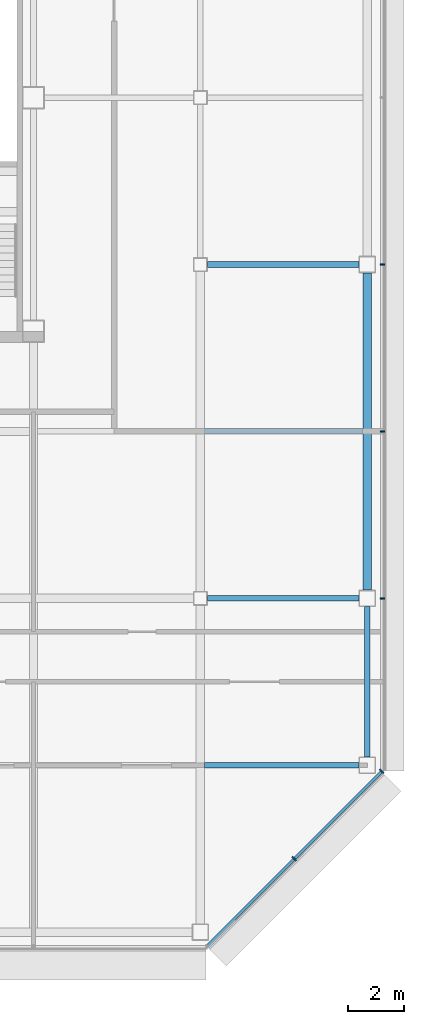
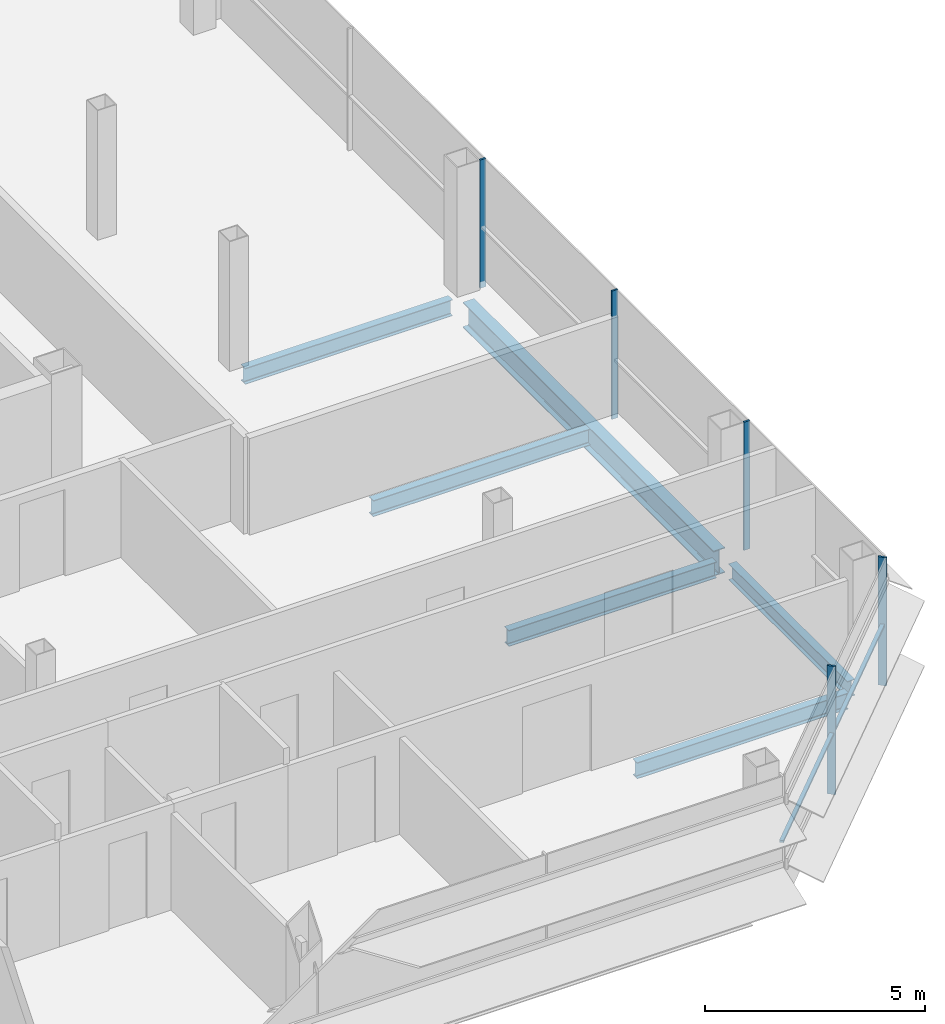
# One storey, part 17 of 28: 6 beams, 6 members, 2 elements without a shape of their own.
"""IFC4 building model written with IfcOpenShell, lengths in metres."""

import ifcopenshell
import ifcopenshell.guid

model = None  # the IFC model being written
_history = None  # IfcOwnerHistory: only IFC2X3 demands one
_inside = {}  # id of a spatial element -> (the spatial element, [elements in it])
_under = {}  # id of a project, library or spatial element -> (it, [spatial elements below it])
_declared = {}  # id of a project -> (the project, [libraries it declares])
_typed = {}  # id of a type object -> (the type object, [elements of that type])
_made_of = {}  # id of a material, layer set ... -> (it, [elements and type objects made of it])


def new_model(schema):
    """Start an empty IFC model of exactly this schema.

    Asked for "IFC4X3", IfcOpenShell would pick the latest addendum, in which some entities
    have other attributes; the version numbers below select the first issue.
    IFC2X3 requires an IfcOwnerHistory on every rooted entity: one is made here for all.
    """
    global model, _history
    if schema == "IFC4X3":
        model = ifcopenshell.file(schema_version=(4, 3, 0, 0))
    else:
        model = ifcopenshell.file(schema=schema)
    _inside.clear()
    _under.clear()
    _declared.clear()
    _typed.clear()
    _made_of.clear()
    _history = None
    if model.schema == "IFC2X3":
        org = make("IfcOrganization", Name="unknown")
        user = make(
            "IfcPersonAndOrganization",
            ThePerson=make("IfcPerson", FamilyName="unknown"),
            TheOrganization=org,
        )
        app = make(
            "IfcApplication",
            ApplicationDeveloper=org,
            Version="unknown",
            ApplicationFullName="unknown",
            ApplicationIdentifier="unknown",
        )
        _history = make(
            "IfcOwnerHistory",
            OwningUser=user,
            OwningApplication=app,
            ChangeAction="ADDED",
            CreationDate=0,
        )
    return model


def make(cls, **values):
    """One entity of the class cls with the attributes given. An attribute that is None is left unset."""
    return model.create_entity(
        cls, **{name: value for name, value in values.items() if value is not None}
    )


def rooted(cls, **values):
    """An entity with a GlobalId (a new one), such as an element, a storey or a relation."""
    return make(cls, GlobalId=ifcopenshell.guid.new(), OwnerHistory=_history, **values)


def si_unit(unit_type, name, prefix=None):
    """IfcSIUnit, for example si_unit("LENGTHUNIT", "METRE", prefix="MILLI")."""
    return make("IfcSIUnit", UnitType=unit_type, Prefix=prefix, Name=name)


def assignment(units):
    """IfcUnitAssignment: the units of a project."""
    return None if units is None else make("IfcUnitAssignment", Units=units)


def point(xyz):
    """IfcCartesianPoint."""
    return None if xyz is None else make("IfcCartesianPoint", Coordinates=xyz)


def direction(xyz):
    """IfcDirection."""
    return None if xyz is None else make("IfcDirection", DirectionRatios=xyz)


def frame(location, z_axis=None, x_axis=None):
    """IfcAxis2Placement3D, a coordinate frame: its origin and axes. An axis left out is left unset."""
    return make(
        "IfcAxis2Placement3D",
        Location=point(location),
        Axis=direction(z_axis),
        RefDirection=direction(x_axis),
    )


def frame_2d(location, x_axis=None):
    """IfcAxis2Placement2D, a coordinate frame in the plane: its origin and x axis."""
    return make(
        "IfcAxis2Placement2D", Location=point(location), RefDirection=direction(x_axis)
    )


def origin():
    """The frame at (0, 0, 0) with its axes left unset."""
    return frame((0.0, 0.0, 0.0))


def origin_2d():
    """The frame at (0, 0) in the plane with its x axis left unset."""
    return frame_2d((0.0, 0.0))


def place(relative_to, where):
    """IfcLocalPlacement: puts the frame where relative to a parent placement (None: the world)."""
    return make(
        "IfcLocalPlacement", PlacementRelTo=relative_to, RelativePlacement=where
    )


def context(
    kind, dimensions, precision=None, world=None, true_north=None, identifier=None
):
    """IfcGeometricRepresentationContext, for example the 3D "Model" context."""
    return make(
        "IfcGeometricRepresentationContext",
        ContextIdentifier=identifier,
        ContextType=kind,
        CoordinateSpaceDimension=dimensions,
        Precision=precision,
        WorldCoordinateSystem=world,
        TrueNorth=true_north,
    )


def subcontext(parent, identifier, kind, view, scale=None):
    """IfcGeometricRepresentationSubContext, for example "Body" below "Model"."""
    return make(
        "IfcGeometricRepresentationSubContext",
        ContextIdentifier=identifier,
        ContextType=kind,
        ParentContext=parent,
        TargetScale=scale,
        TargetView=view,
    )


def project(units=None, contexts=None):
    """IfcProject with its units and contexts."""
    return rooted(
        "IfcProject",
        Name="project",
        RepresentationContexts=contexts,
        UnitsInContext=assignment(units),
    )


def spatial(cls, under=None, at=None, **own):
    """A site, building, storey or space (cls), placed at a placement, below another one or the project."""
    s = rooted(cls, ObjectPlacement=at, **own)
    if under is not None:
        _under.setdefault(under.id(), (under, []))[1].append(s)
    return s


def profile(cls, at=None, kind="AREA", **sizes):
    """A parametric profile (cls). Its sizes go by their IFC names, for example OverallWidth=200.0."""
    return make(cls, ProfileType=kind, Position=at, **sizes)


def rectangle(**sizes):
    """IfcRectangleProfileDef."""
    return profile("IfcRectangleProfileDef", **sizes)


def i_section(**sizes):
    """IfcIShapeProfileDef."""
    return profile("IfcIShapeProfileDef", **sizes)


def extrude(swept, where, along, depth):
    """IfcExtrudedAreaSolid: the profile swept, set in the frame where, extruded along a direction by depth."""
    return make(
        "IfcExtrudedAreaSolid",
        SweptArea=swept,
        Position=where,
        ExtrudedDirection=direction(along),
        Depth=depth,
    )


def shape(context_of_items, identifier, shape_type, items):
    """IfcShapeRepresentation: the items that make up one representation, for example the "Body"."""
    return make(
        "IfcShapeRepresentation",
        ContextOfItems=context_of_items,
        RepresentationIdentifier=identifier,
        RepresentationType=shape_type,
        Items=items,
    )


def material(Name=None, Category=None):
    """IfcMaterial."""
    return make("IfcMaterial", Name=Name, Category=Category)


def material_profile(
    of_material, cross_section, Name=None, Category=None, Priority=None
):
    """IfcMaterialProfile: a cross section and its material."""
    return make(
        "IfcMaterialProfile",
        Name=Name,
        Material=of_material,
        Profile=cross_section,
        Priority=Priority,
        Category=Category,
    )


def profile_set(profiles, Name=None, composite=None):
    """IfcMaterialProfileSet."""
    return make(
        "IfcMaterialProfileSet",
        Name=Name,
        MaterialProfiles=profiles,
        CompositeProfile=composite,
    )


def made_of(thing, what):
    """Note that an element or type object is made of a material, layer set ...; save() writes the relation."""
    if what is not None:
        _made_of.setdefault(what.id(), (what, []))[1].append(thing)
    return thing


def type_object(cls, material=None, **own):
    """A type object (cls), such as IfcWallType, which elements share."""
    return made_of(rooted(cls, **own), material)


def element(
    cls,
    number,
    at=None,
    inside=None,
    cuts=None,
    type_object=None,
    material=None,
    context=None,
    identifier="Body",
    shape_type=None,
    held_by="IfcProductDefinitionShape",
    body=None,
    shapes=None,
    **own,
):
    """One element of the class cls, such as IfcWall. Its Tag is "e" and its number.

    at: its placement. inside: the storey or other place that contains it. cuts: it is an
    opening in that element (IfcRelVoidsElement). A single representation is given by context,
    identifier, shape_type and body (its items); several are given by shapes. held_by: the class
    of the entity that holds the representations. save() writes the other relations.
    """
    e = rooted(cls, Tag="e%d" % number, ObjectPlacement=at, **own)
    if body is not None:
        shapes = [shape(context, identifier, shape_type, body)]
    if shapes is not None:
        e.Representation = make(held_by, Representations=shapes)
    if inside is not None:
        _inside.setdefault(inside.id(), (inside, []))[1].append(e)
    if cuts is not None:
        rooted(
            "IfcRelVoidsElement", RelatingBuildingElement=cuts, RelatedOpeningElement=e
        )
    if type_object is not None:
        _typed.setdefault(type_object.id(), (type_object, []))[1].append(e)
    return made_of(e, material)


def aggregate(whole, parts):
    """IfcRelAggregates: a whole, such as a stair, and the parts it consists of."""
    return rooted("IfcRelAggregates", RelatingObject=whole, RelatedObjects=parts)


def save(model, path):
    """Write the relations noted so far, then the file.

    IfcRelAggregates (storeys below a building ...), IfcRelContainedInSpatialStructure (elements
    in a storey), IfcRelDefinesByType, IfcRelAssociatesMaterial and IfcRelDeclares: one each for
    every whole, place, type object, material and project.
    """
    for whole, parts in _under.values():
        aggregate(whole, parts)
    for where, things in _inside.values():
        rooted(
            "IfcRelContainedInSpatialStructure",
            RelatedElements=things,
            RelatingStructure=where,
        )
    for kind, things in _typed.values():
        rooted("IfcRelDefinesByType", RelatedObjects=things, RelatingType=kind)
    for what, things in _made_of.values():
        rooted("IfcRelAssociatesMaterial", RelatedObjects=things, RelatingMaterial=what)
    for by, libraries in _declared.values():
        rooted("IfcRelDeclares", RelatingContext=by, RelatedDefinitions=libraries)
    model.write(path)


model = new_model("IFC4")

# Units and contexts
model_context = context("Model", 3, precision=1e-05, world=origin(), true_north=direction((0.0, 1.0)))
body_context = subcontext(model_context, "Body", "Model", "MODEL_VIEW")
ifc_project = project(units=[si_unit("LENGTHUNIT", "METRE"), si_unit("AREAUNIT", "SQUARE_METRE"), si_unit("VOLUMEUNIT", "CUBIC_METRE"), si_unit("PLANEANGLEUNIT", "RADIAN"), si_unit("MASSUNIT", "GRAM", prefix="KILO")], contexts=[model_context])

# Site, building, storey
site_placement = place(None, origin())
site = spatial("IfcSite", under=ifc_project, at=site_placement, CompositionType="ELEMENT")
building_placement = place(site_placement, origin())
building = spatial("IfcBuilding", under=site, at=building_placement, Name="Sorahane Residences", CompositionType="ELEMENT")
storey_placement = place(building_placement, frame((0.0, 0.0, 254.0)))
storey = spatial("IfcBuildingStorey", under=building, at=storey_placement, Name="L60", CompositionType="ELEMENT", Elevation=254.0)

# Curtain wall, members
ifc_material_1 = material(Name="Dark low-e glass and black anodised aluminium", Category="aluminium")
curtain_wall_type_1 = type_object("IfcCurtainWallType", Name="Curtain wall CW-1 Typical unitised wall", PredefinedType="NOTDEFINED", material=ifc_material_1)
curtain_wall_1_placement = place(storey_placement, origin())
curtain_wall_1 = element("IfcCurtainWall", 1, at=curtain_wall_1_placement, inside=storey, type_object=curtain_wall_type_1, Name="CW-1 curtain wall L60 E1", PredefinedType="NOTDEFINED")
ifc_material_2 = material(Name="Black anodised aluminium", Category="aluminium")
ifc_material_profile_1 = material_profile(ifc_material_2, rectangle(XDim=0.159912109375, YDim=0.050048828125, at=origin_2d()), Name="Curtain wall mullion CW-1 black anodised aluminium 50x160")
ifc_profile_set_1 = profile_set([ifc_material_profile_1], Name="Black anodised aluminium")
member_type_1 = type_object("IfcMemberType", Name="Curtain wall mullion CW-1 black anodised aluminium 50x160", PredefinedType="MULLION", material=ifc_profile_set_1)
member_1_placement = place(storey_placement, frame((54.5400390625, 12.0, -0.179931640625), z_axis=(0.0, 0.0, 1.0), x_axis=(1.0, 0.0, 0.0)))
member_1 = element("IfcMember", 2, at=member_1_placement, type_object=member_type_1, Name="CW-1 mullion L60 E1.2", PredefinedType="MULLION", context=body_context, shape_type="SweptSolid", body=[
    extrude(rectangle(XDim=0.159912109375, YDim=0.050048828125, at=origin_2d()), origin(), (0.0, 0.0, 1.0), 3.559814453125),
])
member_2_placement = place(storey_placement, frame((54.5400390625, 18.0, -0.179931640625), z_axis=(0.0, 0.0, 1.0), x_axis=(1.0, 0.0, 0.0)))
member_2 = element("IfcMember", 3, at=member_2_placement, type_object=member_type_1, Name="CW-1 mullion L60 E1.3", PredefinedType="MULLION", context=body_context, shape_type="SweptSolid", body=[
    extrude(rectangle(XDim=0.159912109375, YDim=0.050048828125, at=origin_2d()), origin(), (0.0, 0.0, 1.0), 3.559814453125),
])
member_3_placement = place(storey_placement, frame((54.5400390625, 24.0, -0.179931640625), z_axis=(0.0, 0.0, 1.0), x_axis=(1.0, 0.0, 0.0)))
member_3 = element("IfcMember", 4, at=member_3_placement, type_object=member_type_1, Name="CW-1 mullion L60 E1.4", PredefinedType="MULLION", context=body_context, shape_type="SweptSolid", body=[
    extrude(rectangle(XDim=0.159912109375, YDim=0.050048828125, at=origin_2d()), origin(), (0.0, 0.0, 1.0), 3.559814453125),
])
aggregate(curtain_wall_1, [member_1, member_2, member_3])

ifc_material_3 = material(Name="Dark low-e glass and black anodised aluminium", Category="aluminium")
curtain_wall_type_2 = type_object("IfcCurtainWallType", Name="Curtain wall CW-2 Chamfer unitised wall", PredefinedType="NOTDEFINED", material=ifc_material_3)
curtain_wall_2_placement = place(storey_placement, origin())
curtain_wall_2 = element("IfcCurtainWall", 5, at=curtain_wall_2_placement, inside=storey, type_object=curtain_wall_type_2, Name="CW-2 curtain wall L60 SE1", PredefinedType="NOTDEFINED")
ifc_material_4 = material(Name="Black anodised aluminium", Category="aluminium")
ifc_material_profile_2 = material_profile(ifc_material_4, rectangle(XDim=0.199951171875, YDim=0.050048828125, at=origin_2d()), Name="Curtain wall mullion CW-2 black anodised aluminium 50x200")
ifc_profile_set_2 = profile_set([ifc_material_profile_2], Name="Black anodised aluminium")
member_type_2 = type_object("IfcMemberType", Name="Curtain wall mullion CW-2 black anodised aluminium 50x200", PredefinedType="MULLION", material=ifc_profile_set_2)
member_4_placement = place(storey_placement, frame((51.36767578125, 2.63232421875, -0.179931640625), z_axis=(0.0, 0.0, 1.0), x_axis=(0.707106781187, -0.707106781187, 0.0)))
member_4 = element("IfcMember", 6, at=member_4_placement, type_object=member_type_2, Name="CW-2 mullion L60 SE1.2", PredefinedType="MULLION", context=body_context, shape_type="SweptSolid", body=[
    extrude(rectangle(XDim=0.199951171875, YDim=0.050048828125, at=origin_2d()), origin(), (0.0, 0.0, 1.0), 3.559814453125),
])
member_5_placement = place(storey_placement, frame((54.525634765625, 5.790283203125, -0.179931640625), z_axis=(0.0, 0.0, 1.0), x_axis=(0.707106781187, -0.707106781187, 0.0)))
member_5 = element("IfcMember", 7, at=member_5_placement, type_object=member_type_2, Name="CW-2 mullion L60 SE1.3", PredefinedType="MULLION", context=body_context, shape_type="SweptSolid", body=[
    extrude(rectangle(XDim=0.199951171875, YDim=0.050048828125, at=origin_2d()), origin(), (0.0, 0.0, 1.0), 3.559814453125),
])
ifc_material_5 = material(Name="Black anodised aluminium", Category="aluminium")
ifc_material_profile_3 = material_profile(ifc_material_5, rectangle(XDim=0.10009765625, YDim=0.06005859375, at=origin_2d()), Name="Curtain wall transom CW-2 black anodised aluminium 60x100")
ifc_profile_set_3 = profile_set([ifc_material_profile_3], Name="Black anodised aluminium")
member_type_3 = type_object("IfcMemberType", Name="Curtain wall transom CW-2 black anodised aluminium 60x100", PredefinedType="USERDEFINED", material=ifc_profile_set_3)
member_6_placement = place(storey_placement, frame((48.234375, -0.51513671875, 1.5), z_axis=(0.707106781187, 0.707106781187, 0.0), x_axis=(-0.707106781187, 0.707106781187, 0.0)))
member_6 = element("IfcMember", 8, at=member_6_placement, type_object=member_type_3, Name="CW-2 transom L60 SE1", ObjectType="TRANSOM", PredefinedType="USERDEFINED", context=body_context, shape_type="SweptSolid", body=[
    extrude(rectangle(XDim=0.10009765625, YDim=0.06005859375, at=origin_2d()), origin(), (0.0, 0.0, 1.0), 8.88232421875),
])
aggregate(curtain_wall_2, [member_4, member_5, member_6])

# Beams
ifc_material_6 = material(Name="Steel Q355B", Category="steel")
ifc_material_profile_4 = material_profile(ifc_material_6, i_section(OverallWidth=0.199951171875, OverallDepth=0.449951171875, WebThickness=0.009033203125, FlangeThickness=0.013916015625, FilletRadius=0.02001953125, at=origin_2d()), Name="HN 450x200x9x14")
ifc_profile_set_4 = profile_set([ifc_material_profile_4], Name="Steel Q355B")
beam_type_1 = type_object("IfcBeamType", Name="Steel floor beam HN 450x200x9x14 Q355B", PredefinedType="BEAM", material=ifc_profile_set_4)
for number, where, z_axis, x_axis, name in (
    (9, (48.25, 12.0, -0.405029296875), (1.0, 0.0, 0.0), (0.0, 1.0, 0.0), "Beam L60 010"),
    (10, (48.25, 24.0, -0.405029296875), (1.0, 0.0, 0.0), (0.0, 1.0, 0.0), "Beam L60 012"),
):
    element("IfcBeam", number, at=place(storey_placement, frame(where, z_axis=z_axis, x_axis=x_axis)), inside=storey, type_object=beam_type_1, Name=name, PredefinedType="BEAM", context=body_context, shape_type="SweptSolid", body=[
        extrude(i_section(OverallWidth=0.199951171875, OverallDepth=0.449951171875, WebThickness=0.009033203125, FlangeThickness=0.013916015625, FilletRadius=0.02001953125, at=origin_2d()), origin(), (0.0, 0.0, 1.0), 5.449951171875),
    ])
beam_1_placement = place(storey_placement, frame((54.0, 6.300048828125, -0.405029296875), z_axis=(0.0, 1.0, 0.0), x_axis=(-1.0, 0.0, 0.0)))
element("IfcBeam", 11, at=beam_1_placement, inside=storey, type_object=beam_type_1, Name="Beam L60 064", PredefinedType="BEAM", context=body_context, shape_type="SweptSolid", body=[
    extrude(i_section(OverallWidth=0.199951171875, OverallDepth=0.449951171875, WebThickness=0.009033203125, FlangeThickness=0.013916015625, FilletRadius=0.02001953125, at=origin_2d()), origin(), (0.0, 0.0, 1.0), 5.39990234375),
])
beam_2_placement = place(storey_placement, frame((48.14990234375, 6.0, -0.405029296875), z_axis=(1.0, 0.0, 0.0), x_axis=(0.0, 1.0, 0.0)))
element("IfcBeam", 12, at=beam_2_placement, inside=storey, type_object=beam_type_1, Name="Beam L60 077", PredefinedType="BEAM", context=body_context, shape_type="SweptSolid", body=[
    extrude(i_section(OverallWidth=0.199951171875, OverallDepth=0.449951171875, WebThickness=0.009033203125, FlangeThickness=0.013916015625, FilletRadius=0.02001953125, at=origin_2d()), origin(), (0.0, 0.0, 1.0), 5.550048828125),
])
beam_3_placement = place(storey_placement, frame((48.14990234375, 18.0, -0.405029296875), z_axis=(1.0, 0.0, 0.0), x_axis=(0.0, 1.0, 0.0)))
element("IfcBeam", 13, at=beam_3_placement, inside=storey, type_object=beam_type_1, Name="Beam L60 084", PredefinedType="BEAM", context=body_context, shape_type="SweptSolid", body=[
    extrude(i_section(OverallWidth=0.199951171875, OverallDepth=0.449951171875, WebThickness=0.009033203125, FlangeThickness=0.013916015625, FilletRadius=0.02001953125, at=origin_2d()), origin(), (0.0, 0.0, 1.0), 5.7001953125),
])
ifc_material_7 = material(Name="Steel Q355B", Category="steel")
ifc_material_profile_5 = material_profile(ifc_material_7, i_section(OverallWidth=0.300048828125, OverallDepth=0.699951171875, WebThickness=0.012939453125, FlangeThickness=0.02392578125, FilletRadius=0.028076171875, at=origin_2d()), Name="HN 700x300x13x24")
ifc_profile_set_5 = profile_set([ifc_material_profile_5], Name="Steel Q355B")
beam_type_2 = type_object("IfcBeamType", Name="Steel floor beam HN 700x300x13x24 Q355B", PredefinedType="BEAM", material=ifc_profile_set_5)
beam_4_placement = place(storey_placement, frame((54.0, 12.300048828125, -0.530029296875), z_axis=(0.0, 1.0, 0.0), x_axis=(-1.0, 0.0, 0.0)))
element("IfcBeam", 14, at=beam_4_placement, inside=storey, type_object=beam_type_2, Name="Beam L60 065", PredefinedType="BEAM", context=body_context, shape_type="SweptSolid", body=[
    extrude(i_section(OverallWidth=0.300048828125, OverallDepth=0.699951171875, WebThickness=0.012939453125, FlangeThickness=0.02392578125, FilletRadius=0.028076171875, at=origin_2d()), origin(), (0.0, 0.0, 1.0), 11.39990234375),
])

save(model, "model.ifc")
